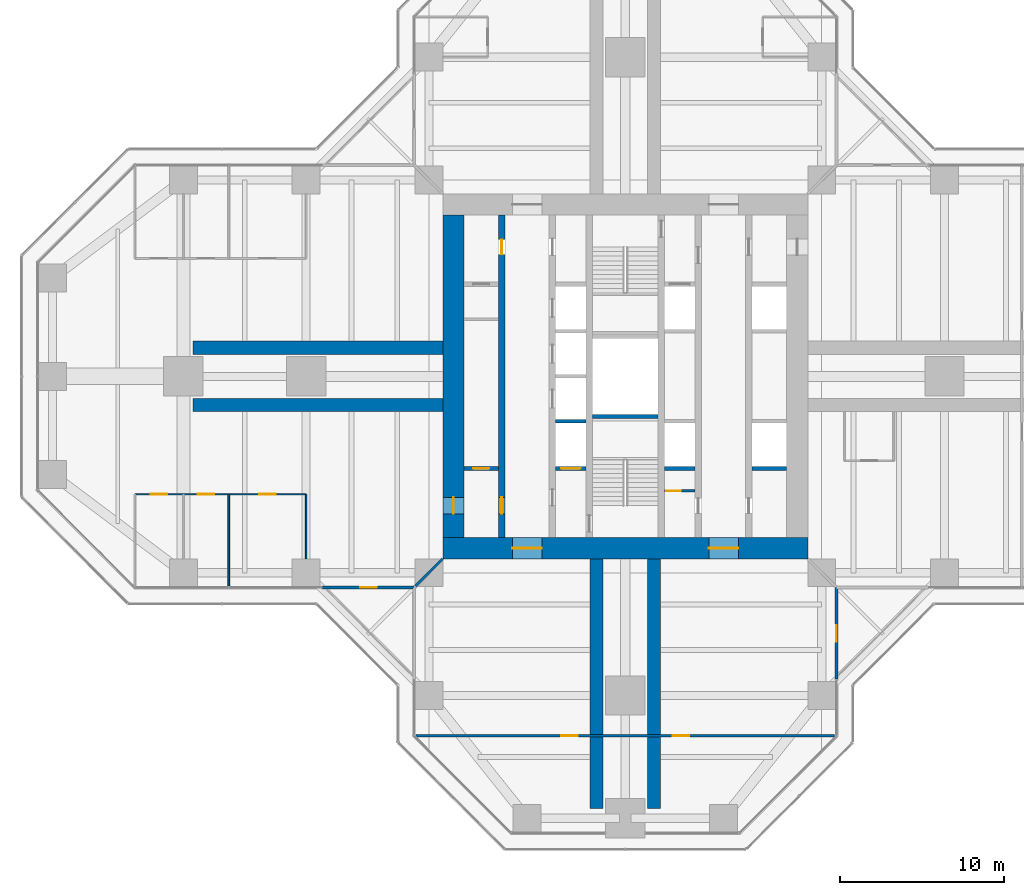
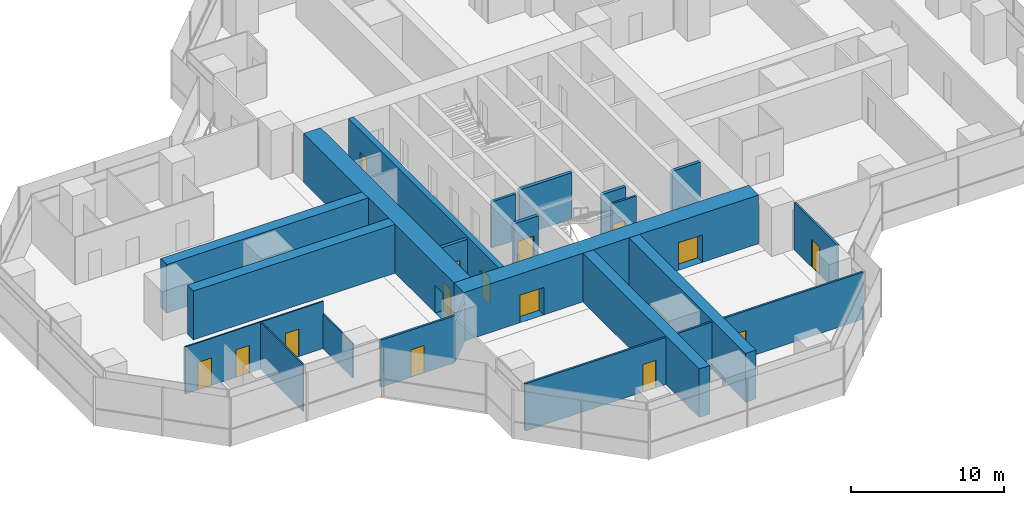
# One storey, part 15 of 20: 21 walls, 15 doors, 15 openings.
"""IFC4 building model written with IfcOpenShell, lengths in metres."""

from ifc_helpers import new_model, si_unit, direction, frame, frame_2d, origin, place, context, subcontext, project, spatial, rectangle, extrude, material, layer, layer_set, type_object, element, fill, save


model = new_model("IFC4")

# Units and contexts
model_context = context("Model", 3, precision=1e-05, world=origin(), true_north=direction((0.0, 1.0)))
body_context = subcontext(model_context, "Body", "Model", "MODEL_VIEW")
ifc_project = project(units=[si_unit("LENGTHUNIT", "METRE"), si_unit("AREAUNIT", "SQUARE_METRE"), si_unit("VOLUMEUNIT", "CUBIC_METRE"), si_unit("PLANEANGLEUNIT", "RADIAN"), si_unit("MASSUNIT", "GRAM", prefix="KILO")], contexts=[model_context])

# Site, building, storey
site_placement = place(None, origin())
site = spatial("IfcSite", under=ifc_project, at=site_placement, CompositionType="ELEMENT")
building_placement = place(site_placement, origin())
building = spatial("IfcBuilding", under=site, at=building_placement, Name="Mizan Broadcast Tower", CompositionType="ELEMENT")
storey_placement = place(building_placement, frame((0.0, 0.0, 178.800048828125)))
storey = spatial("IfcBuildingStorey", under=building, at=storey_placement, Name="L41", CompositionType="ELEMENT", Elevation=178.800048828125)

# Wall, openings, doors
ifc_material_1 = material(Name="Concrete C70/85", Category="concrete")
ifc_layer_1 = layer(ifc_material_1, 0.39990234375)
ifc_layer_set_1 = layer_set([ifc_layer_1], Name="Concrete C70/85")
wall_type_1 = type_object("IfcWallType", Name="CORE INTERNAL WALL 400", PredefinedType="SHEAR", material=ifc_layer_set_1)
wall_1_placement = place(storey_placement, frame((-7.550048828125, -9.85009765625, 0.0), z_axis=(0.0, 0.0, 1.0), x_axis=(0.0, 1.0, 0.0)))
wall_1 = element("IfcWall", 1, at=wall_1_placement, inside=storey, type_object=wall_type_1, Name="Core wall CORE/XW1", PredefinedType="SHEAR", context=body_context, shape_type="SweptSolid", body=[
    extrude(rectangle(XDim=19.7001953125, YDim=0.39990234375, at=frame_2d((9.85009765625, 0.0))), origin(), (0.0, 0.0, 1.0), 3.89990234375),
])
opening_1_placement = place(wall_1_placement, frame((1.449951171875, 0.0, 0.0)))
opening_1 = element("IfcOpeningElement", 2, at=opening_1_placement, cuts=wall_1, Name="Opening D10F", PredefinedType="OPENING", context=body_context, shape_type="SweptSolid", body=[
    extrude(rectangle(XDim=1.0, YDim=2.199951171875, at=frame_2d((0.5, 1.10009765625))), frame((0.0, 0.2099609375, 0.0), z_axis=(0.0, -1.0, 0.0), x_axis=(1.0, 0.0, 0.0)), (0.0, 0.0, 1.0), 0.419921875),
])
opening_2_placement = place(wall_1_placement, frame((17.300048828125, 0.0, 0.0)))
opening_2 = element("IfcOpeningElement", 3, at=opening_2_placement, cuts=wall_1, Name="Opening D09", PredefinedType="OPENING", context=body_context, shape_type="SweptSolid", body=[
    extrude(rectangle(XDim=0.89990234375, YDim=2.10009765625, at=frame_2d((0.449951171875, 1.050048828125))), frame((0.0, 0.2099609375, 0.0), z_axis=(0.0, -1.0, 0.0), x_axis=(1.0, 0.0, 0.0)), (0.0, 0.0, 1.0), 0.419921875),
])
ifc_material_2 = material(Name="Steel door leaf in steel frame", Category="steel")
door_type_1 = type_object("IfcDoorType", Name="FIRE DOOR 1000 FD90", OperationType="SINGLE_SWING_LEFT", PredefinedType="DOOR", material=ifc_material_2)
door_1_placement = place(opening_1_placement, origin())
door_1 = element("IfcDoor", 4, at=door_1_placement, inside=storey, type_object=door_type_1, Name="West core passage door", OperationType="SINGLE_SWING_LEFT", OverallHeight=2.199951171875, OverallWidth=1.0, PredefinedType="DOOR", context=body_context, shape_type="SweptSolid", body=[
    extrude(rectangle(XDim=1.0, YDim=2.199951171875, at=frame_2d((0.5, 1.10009765625))), frame((0.0, 0.02490234375, 0.0), z_axis=(0.0, -1.0, 0.0), x_axis=(1.0, 0.0, 0.0)), (0.0, 0.0, 1.0), 0.050048828125),
])
fill(opening_1, door_1)
ifc_material_3 = material(Name="Timber door leaf in aluminium frame", Category="wood")
door_type_2 = type_object("IfcDoorType", Name="TOILET DOOR 900", OperationType="SINGLE_SWING_LEFT", PredefinedType="DOOR", material=ifc_material_3)
door_2_placement = place(opening_2_placement, origin())
door_2 = element("IfcDoor", 5, at=door_2_placement, inside=storey, type_object=door_type_2, Name="Male WC door", OperationType="SINGLE_SWING_RIGHT", OverallHeight=2.10009765625, OverallWidth=0.89990234375, PredefinedType="DOOR", context=body_context, shape_type="SweptSolid", body=[
    extrude(rectangle(XDim=0.89990234375, YDim=2.10009765625, at=frame_2d((0.449951171875, 1.050048828125))), frame((0.0, 0.02490234375, 0.0), z_axis=(0.0, -1.0, 0.0), x_axis=(1.0, 0.0, 0.0)), (0.0, 0.0, 1.0), 0.050048828125),
])
fill(opening_2, door_2)

# Wall, opening, door
ifc_material_4 = material(Name="Concrete blockwork", Category="masonry")
ifc_layer_2 = layer(ifc_material_4, 0.14990234375)
ifc_layer_set_2 = layer_set([ifc_layer_2], Name="Concrete blockwork")
wall_type_2 = type_object("IfcWallType", Name="CORE PARTITION 150", PredefinedType="SOLIDWALL", material=ifc_layer_set_2)
wall_2_placement = place(storey_placement, frame((2.39990234375, -7.0, 0.0), z_axis=(0.0, 0.0, 1.0), x_axis=(1.0, 0.0, 0.0)))
wall_2 = element("IfcWall", 6, at=wall_2_placement, inside=storey, type_object=wall_type_2, Name="Core partition CORE/XPC", PredefinedType="SOLIDWALL", context=body_context, shape_type="SweptSolid", body=[
    extrude(rectangle(XDim=1.85009765625, YDim=0.14990234375, at=frame_2d((0.925048828125, 0.0))), origin(), (0.0, 0.0, 1.0), 3.77001953125),
])
opening_3_placement = place(wall_2_placement, frame((0.10009765625, 0.0, 0.0)))
opening_3 = element("IfcOpeningElement", 7, at=opening_3_placement, cuts=wall_2, Name="Opening D09F", PredefinedType="OPENING", context=body_context, shape_type="SweptSolid", body=[
    extrude(rectangle(XDim=0.89990234375, YDim=2.10009765625, at=frame_2d((0.449951171875, 1.050048828125))), frame((0.0, 0.0849609375, 0.0), z_axis=(0.0, -1.0, 0.0), x_axis=(1.0, 0.0, 0.0)), (0.0, 0.0, 1.0), 0.169921875),
])
ifc_material_5 = material(Name="Steel door leaf in steel frame", Category="steel")
door_type_3 = type_object("IfcDoorType", Name="CORE ROOM DOOR 900 FD90", OperationType="SINGLE_SWING_LEFT", PredefinedType="DOOR", material=ifc_material_5)
door_3_placement = place(opening_3_placement, origin())
door_3 = element("IfcDoor", 8, at=door_3_placement, inside=storey, type_object=door_type_3, Name="Waste store door", OperationType="SINGLE_SWING_LEFT", OverallHeight=2.10009765625, OverallWidth=0.89990234375, PredefinedType="DOOR", context=body_context, shape_type="SweptSolid", body=[
    extrude(rectangle(XDim=0.89990234375, YDim=2.10009765625, at=frame_2d((0.449951171875, 1.050048828125))), frame((0.0, 0.02490234375, 0.0), z_axis=(0.0, -1.0, 0.0), x_axis=(1.0, 0.0, 0.0)), (0.0, 0.0, 1.0), 0.050048828125),
])
fill(opening_3, door_3)

# Wall, openings, doors
ifc_material_6 = material(Name="Concrete C70/85", Category="concrete")
ifc_layer_3 = layer(ifc_material_6, 1.300048828125)
ifc_layer_set_3 = layer_set([ifc_layer_3], Name="Concrete C70/85")
wall_type_3 = type_object("IfcWallType", Name="CORE WALL 1300", PredefinedType="SHEAR", material=ifc_layer_set_3)
wall_3_placement = place(storey_placement, frame((11.14990234375, -10.5, 0.0), z_axis=(0.0, 0.0, 1.0), x_axis=(-1.0, 0.0, 0.0)))
wall_3 = element("IfcWall", 9, at=wall_3_placement, inside=storey, type_object=wall_type_3, Name="Core wall S L41", PredefinedType="SHEAR", context=body_context, shape_type="SweptSolid", body=[
    extrude(rectangle(XDim=22.2998046875, YDim=1.300048828125, at=frame_2d((11.14990234375, 0.0))), origin(), (0.0, 0.0, 1.0), 3.89990234375),
])
opening_4_placement = place(wall_3_placement, frame((16.25, 0.0, 0.0)))
opening_4 = element("IfcOpeningElement", 10, at=opening_4_placement, cuts=wall_3, Name="Opening D18F", PredefinedType="OPENING", context=body_context, shape_type="SweptSolid", body=[
    extrude(rectangle(XDim=1.800048828125, YDim=2.199951171875, at=frame_2d((0.89990234375, 1.10009765625))), frame((0.0, 0.659912109375, 0.0), z_axis=(0.0, -1.0, 0.0), x_axis=(1.0, 0.0, 0.0)), (0.0, 0.0, 1.0), 1.320068359375),
])
opening_5_placement = place(wall_3_placement, frame((4.25, 0.0, 0.0)))
opening_5 = element("IfcOpeningElement", 11, at=opening_5_placement, cuts=wall_3, Name="Opening D18F", PredefinedType="OPENING", context=body_context, shape_type="SweptSolid", body=[
    extrude(rectangle(XDim=1.800048828125, YDim=2.199951171875, at=frame_2d((0.89990234375, 1.10009765625))), frame((0.0, 0.659912109375, 0.0), z_axis=(0.0, -1.0, 0.0), x_axis=(1.0, 0.0, 0.0)), (0.0, 0.0, 1.0), 1.320068359375),
])
ifc_material_7 = material(Name="Steel door leaf in steel frame", Category="steel")
door_type_4 = type_object("IfcDoorType", Name="LOBBY DOUBLE DOOR 1800 FD90", OperationType="DOUBLE_DOOR_DOUBLE_SWING", PredefinedType="DOOR", material=ifc_material_7)
door_4_placement = place(opening_4_placement, origin())
door_4 = element("IfcDoor", 12, at=door_4_placement, inside=storey, type_object=door_type_4, Name="West lift lobby south door", OperationType="DOUBLE_DOOR_DOUBLE_SWING", OverallHeight=2.199951171875, OverallWidth=1.800048828125, PredefinedType="DOOR", context=body_context, shape_type="SweptSolid", body=[
    extrude(rectangle(XDim=1.800048828125, YDim=2.199951171875, at=frame_2d((0.89990234375, 1.10009765625))), frame((0.0, 0.02490234375, 0.0), z_axis=(0.0, -1.0, 0.0), x_axis=(1.0, 0.0, 0.0)), (0.0, 0.0, 1.0), 0.050048828125),
])
fill(opening_4, door_4)
door_5_placement = place(opening_5_placement, origin())
door_5 = element("IfcDoor", 13, at=door_5_placement, inside=storey, type_object=door_type_4, Name="East lift lobby south door", OperationType="DOUBLE_DOOR_DOUBLE_SWING", OverallHeight=2.199951171875, OverallWidth=1.800048828125, PredefinedType="DOOR", context=body_context, shape_type="SweptSolid", body=[
    extrude(rectangle(XDim=1.800048828125, YDim=2.199951171875, at=frame_2d((0.89990234375, 1.10009765625))), frame((0.0, 0.02490234375, 0.0), z_axis=(0.0, -1.0, 0.0), x_axis=(1.0, 0.0, 0.0)), (0.0, 0.0, 1.0), 0.050048828125),
])
fill(opening_5, door_5)

# Wall, opening, door
wall_4_placement = place(storey_placement, frame((-10.5, 9.85009765625, 0.0), z_axis=(0.0, 0.0, 1.0), x_axis=(0.0, -1.0, 0.0)))
wall_4 = element("IfcWall", 14, at=wall_4_placement, inside=storey, type_object=wall_type_3, Name="Core wall W L41", PredefinedType="SHEAR", context=body_context, shape_type="SweptSolid", body=[
    extrude(rectangle(XDim=19.7001953125, YDim=1.300048828125, at=frame_2d((9.85009765625, 0.0))), origin(), (0.0, 0.0, 1.0), 3.89990234375),
])
opening_6_placement = place(wall_4_placement, frame((17.25, 0.0, 0.0)))
opening_6 = element("IfcOpeningElement", 15, at=opening_6_placement, cuts=wall_4, Name="Opening D10F", PredefinedType="OPENING", context=body_context, shape_type="SweptSolid", body=[
    extrude(rectangle(XDim=1.0, YDim=2.199951171875, at=frame_2d((0.5, 1.10009765625))), frame((0.0, 0.659912109375, 0.0), z_axis=(0.0, -1.0, 0.0), x_axis=(1.0, 0.0, 0.0)), (0.0, 0.0, 1.0), 1.320068359375),
])
door_6_placement = place(opening_6_placement, origin())
door_6 = element("IfcDoor", 16, at=door_6_placement, inside=storey, type_object=door_type_1, Name="West core passage arm door", OperationType="SINGLE_SWING_RIGHT", OverallHeight=2.199951171875, OverallWidth=1.0, PredefinedType="DOOR", context=body_context, shape_type="SweptSolid", body=[
    extrude(rectangle(XDim=1.0, YDim=2.199951171875, at=frame_2d((0.5, 1.10009765625))), frame((0.0, 0.02490234375, 0.0), z_axis=(0.0, -1.0, 0.0), x_axis=(1.0, 0.0, 0.0)), (0.0, 0.0, 1.0), 0.050048828125),
])
fill(opening_6, door_6)

ifc_material_8 = material(Name="Aluminium framed glazed screen", Category="aluminium")
ifc_layer_4 = layer(ifc_material_8, 0.159912109375)
ifc_layer_set_4 = layer_set([ifc_layer_4], Name="Aluminium framed glazed screen")
wall_type_4 = type_object("IfcWallType", Name="GLAZED SCREEN WALL 160", PredefinedType="SOLIDWALL", material=ifc_layer_set_4)
wall_5_placement = place(storey_placement, frame((-18.5, -12.89990234375, 0.0), z_axis=(0.0, 0.0, 1.0), x_axis=(1.0, 0.0, 0.0)))
wall_5 = element("IfcWall", 17, at=wall_5_placement, inside=storey, type_object=wall_type_4, Name="Winter garden screen L41 W", PredefinedType="SOLIDWALL", context=body_context, shape_type="SweptSolid", body=[
    extrude(rectangle(XDim=5.60009765625, YDim=0.159912109375, at=frame_2d((2.800048828125, 0.0))), origin(), (0.0, 0.0, 1.0), 3.77001953125),
])
opening_7_placement = place(wall_5_placement, frame((2.300048828125, 0.0, 0.0)))
opening_7 = element("IfcOpeningElement", 18, at=opening_7_placement, cuts=wall_5, Name="Opening WGD", PredefinedType="OPENING", context=body_context, shape_type="SweptSolid", body=[
    extrude(rectangle(XDim=1.0, YDim=2.199951171875, at=frame_2d((0.5, 1.10009765625))), frame((0.0, 0.08984375, 0.0), z_axis=(0.0, -1.0, 0.0), x_axis=(1.0, 0.0, 0.0)), (0.0, 0.0, 1.0), 0.179931640625),
])
ifc_material_9 = material(Name="Aluminium framed glazed door", Category="aluminium")
door_type_5 = type_object("IfcDoorType", Name="WINTER GARDEN DOOR 1000 GLAZED", OperationType="SINGLE_SWING_LEFT", PredefinedType="DOOR", material=ifc_material_9)
door_7_placement = place(opening_7_placement, origin())
door_7 = element("IfcDoor", 19, at=door_7_placement, inside=storey, type_object=door_type_5, Name="Winter garden door L41 W", OperationType="SINGLE_SWING_RIGHT", OverallHeight=2.199951171875, OverallWidth=1.0, PredefinedType="DOOR", context=body_context, shape_type="SweptSolid", body=[
    extrude(rectangle(XDim=1.0, YDim=2.199951171875, at=frame_2d((0.5, 1.10009765625))), frame((0.0, 0.02490234375, 0.0), z_axis=(0.0, -1.0, 0.0), x_axis=(1.0, 0.0, 0.0)), (0.0, 0.0, 1.0), 0.050048828125),
])
fill(opening_7, door_7)

wall_6_placement = place(storey_placement, frame((12.89990234375, -18.5, 0.0), z_axis=(0.0, 0.0, 1.0), x_axis=(0.0, 1.0, 0.0)))
wall_6 = element("IfcWall", 20, at=wall_6_placement, inside=storey, type_object=wall_type_4, Name="Winter garden screen L41 S", PredefinedType="SOLIDWALL", context=body_context, shape_type="SweptSolid", body=[
    extrude(rectangle(XDim=5.60009765625, YDim=0.159912109375, at=frame_2d((2.800048828125, 0.0))), origin(), (0.0, 0.0, 1.0), 3.77001953125),
])
opening_8_placement = place(wall_6_placement, frame((2.300048828125, 0.0, 0.0)))
opening_8 = element("IfcOpeningElement", 21, at=opening_8_placement, cuts=wall_6, Name="Opening WGD", PredefinedType="OPENING", context=body_context, shape_type="SweptSolid", body=[
    extrude(rectangle(XDim=1.0, YDim=2.199951171875, at=frame_2d((0.5, 1.10009765625))), frame((0.0, 0.08984375, 0.0), z_axis=(0.0, -1.0, 0.0), x_axis=(1.0, 0.0, 0.0)), (0.0, 0.0, 1.0), 0.179931640625),
])
door_8_placement = place(opening_8_placement, origin())
door_8 = element("IfcDoor", 22, at=door_8_placement, inside=storey, type_object=door_type_5, Name="Winter garden door L41 S", OperationType="SINGLE_SWING_RIGHT", OverallHeight=2.199951171875, OverallWidth=1.0, PredefinedType="DOOR", context=body_context, shape_type="SweptSolid", body=[
    extrude(rectangle(XDim=1.0, YDim=2.199951171875, at=frame_2d((0.5, 1.10009765625))), frame((0.0, 0.02490234375, 0.0), z_axis=(0.0, -1.0, 0.0), x_axis=(1.0, 0.0, 0.0)), (0.0, 0.0, 1.0), 0.050048828125),
])
fill(opening_8, door_8)

# Wall
ifc_material_10 = material(Name="Concrete blockwork", Category="masonry")
ifc_layer_5 = layer(ifc_material_10, 0.199951171875)
ifc_layer_set_5 = layer_set([ifc_layer_5], Name="Concrete blockwork")
wall_type_5 = type_object("IfcWallType", Name="LIFT SHAFT WALL 200", PredefinedType="SOLIDWALL", material=ifc_layer_set_5)
wall_7_placement = place(storey_placement, frame((-4.25, -2.75, 0.0), z_axis=(0.0, 0.0, 1.0), x_axis=(1.0, 0.0, 0.0)))
element("IfcWall", 23, at=wall_7_placement, inside=storey, type_object=wall_type_5, Name="Lift shaft wall CORE/SW2-1", PredefinedType="SOLIDWALL", context=body_context, shape_type="SweptSolid", body=[
    extrude(rectangle(XDim=1.85009765625, YDim=0.199951171875, at=frame_2d((0.925048828125, 0.0))), origin(), (0.0, 0.0, 1.0), 3.699951171875),
])

# Wall, opening, door
ifc_material_11 = material(Name="Concrete blockwork", Category="masonry")
ifc_layer_6 = layer(ifc_material_11, 0.25)
ifc_layer_set_6 = layer_set([ifc_layer_6], Name="Concrete blockwork")
wall_type_6 = type_object("IfcWallType", Name="LOBBY ENCLOSURE WALL 250", PredefinedType="SOLIDWALL", material=ifc_layer_set_6)
wall_8_placement = place(storey_placement, frame((-9.85009765625, -5.625, 0.0), z_axis=(0.0, 0.0, 1.0), x_axis=(1.0, 0.0, 0.0)))
wall_8 = element("IfcWall", 24, at=wall_8_placement, inside=storey, type_object=wall_type_6, Name="Lobby enclosure wall CORE/BW1S", PredefinedType="SOLIDWALL", context=body_context, shape_type="SweptSolid", body=[
    extrude(rectangle(XDim=2.10009765625, YDim=0.25, at=frame_2d((1.050048828125, 0.0))), origin(), (0.0, 0.0, 1.0), 3.699951171875),
])
opening_9_placement = place(wall_8_placement, frame((0.550048828125, 0.0, 0.0)))
opening_9 = element("IfcOpeningElement", 25, at=opening_9_placement, cuts=wall_8, Name="Opening D10F", PredefinedType="OPENING", context=body_context, shape_type="SweptSolid", body=[
    extrude(rectangle(XDim=1.0, YDim=2.199951171875, at=frame_2d((0.5, 1.10009765625))), frame((0.0, 0.135009765625, 0.0), z_axis=(0.0, -1.0, 0.0), x_axis=(1.0, 0.0, 0.0)), (0.0, 0.0, 1.0), 0.27001953125),
])
door_9_placement = place(opening_9_placement, origin())
door_9 = element("IfcDoor", 26, at=door_9_placement, inside=storey, type_object=door_type_1, Name="Staff pantry door", OperationType="SINGLE_SWING_RIGHT", OverallHeight=2.199951171875, OverallWidth=1.0, PredefinedType="DOOR", context=body_context, shape_type="SweptSolid", body=[
    extrude(rectangle(XDim=1.0, YDim=2.199951171875, at=frame_2d((0.5, 1.10009765625))), frame((0.0, 0.02490234375, 0.0), z_axis=(0.0, -1.0, 0.0), x_axis=(1.0, 0.0, 0.0)), (0.0, 0.0, 1.0), 0.050048828125),
])
fill(opening_9, door_9)

wall_9_placement = place(storey_placement, frame((-4.25, -5.625, 0.0), z_axis=(0.0, 0.0, 1.0), x_axis=(1.0, 0.0, 0.0)))
wall_9 = element("IfcWall", 27, at=wall_9_placement, inside=storey, type_object=wall_type_6, Name="Lobby enclosure wall CORE/BW2S", PredefinedType="SOLIDWALL", context=body_context, shape_type="SweptSolid", body=[
    extrude(rectangle(XDim=1.85009765625, YDim=0.25, at=frame_2d((0.925048828125, 0.0))), origin(), (0.0, 0.0, 1.0), 3.699951171875),
])
opening_10_placement = place(wall_9_placement, frame((0.324951171875, 0.0, 0.0)))
opening_10 = element("IfcOpeningElement", 28, at=opening_10_placement, cuts=wall_9, Name="Opening LDF", PredefinedType="OPENING", context=body_context, shape_type="SweptSolid", body=[
    extrude(rectangle(XDim=1.199951171875, YDim=2.199951171875, at=frame_2d((0.60009765625, 1.10009765625))), frame((0.0, 0.135009765625, 0.0), z_axis=(0.0, -1.0, 0.0), x_axis=(1.0, 0.0, 0.0)), (0.0, 0.0, 1.0), 0.27001953125),
])
ifc_material_12 = material(Name="Steel door leaf in steel frame", Category="steel")
door_type_6 = type_object("IfcDoorType", Name="FIREFIGHTING LIFT LANDING DOOR 1200", OperationType="SLIDING_TO_LEFT", PredefinedType="DOOR", material=ifc_material_12)
door_10_placement = place(opening_10_placement, origin())
door_10 = element("IfcDoor", 29, at=door_10_placement, inside=storey, type_object=door_type_6, Name="Landing door FF1", OperationType="SLIDING_TO_LEFT", OverallHeight=2.199951171875, OverallWidth=1.199951171875, PredefinedType="DOOR", context=body_context, shape_type="SweptSolid", body=[
    extrude(rectangle(XDim=1.199951171875, YDim=2.199951171875, at=frame_2d((0.60009765625, 1.10009765625))), frame((0.0, 0.02490234375, 0.0), z_axis=(0.0, -1.0, 0.0), x_axis=(1.0, 0.0, 0.0)), (0.0, 0.0, 1.0), 0.050048828125),
])
fill(opening_10, door_10)

# Walls
wall_10_placement = place(storey_placement, frame((2.39990234375, -5.625, 0.0), z_axis=(0.0, 0.0, 1.0), x_axis=(1.0, 0.0, 0.0)))
element("IfcWall", 30, at=wall_10_placement, inside=storey, type_object=wall_type_6, Name="Lobby enclosure wall CORE/BE2S", PredefinedType="SOLIDWALL", context=body_context, shape_type="SweptSolid", body=[
    extrude(rectangle(XDim=1.85009765625, YDim=0.25, at=frame_2d((0.925048828125, 0.0))), origin(), (0.0, 0.0, 1.0), 3.699951171875),
])
wall_11_placement = place(storey_placement, frame((7.75, -5.625, 0.0), z_axis=(0.0, 0.0, 1.0), x_axis=(1.0, 0.0, 0.0)))
element("IfcWall", 31, at=wall_11_placement, inside=storey, type_object=wall_type_6, Name="Lobby enclosure wall CORE/BE1S", PredefinedType="SOLIDWALL", context=body_context, shape_type="SweptSolid", body=[
    extrude(rectangle(XDim=2.10009765625, YDim=0.25, at=frame_2d((1.050048828125, 0.0))), origin(), (0.0, 0.0, 1.0), 3.699951171875),
])
wall_12_placement = place(storey_placement, frame((-2.0, -2.449951171875, 0.0), z_axis=(0.0, 0.0, 1.0), x_axis=(1.0, 0.0, 0.0)))
element("IfcWall", 32, at=wall_12_placement, inside=storey, type_object=wall_type_6, Name="Lobby enclosure wall CORE/STA", PredefinedType="SOLIDWALL", context=body_context, shape_type="SweptSolid", body=[
    extrude(rectangle(XDim=4.0, YDim=0.25, at=frame_2d((2.0, 0.0))), origin(), (0.0, 0.0, 1.0), 3.699951171875),
])

# Wall, openings, doors
ifc_material_13 = material(Name="Gypsum board on steel studs", Category="steel")
ifc_layer_7 = layer(ifc_material_13, 0.14990234375)
ifc_layer_set_7 = layer_set([ifc_layer_7], Name="Gypsum board on steel studs")
wall_type_7 = type_object("IfcWallType", Name="PARTITION 150", PredefinedType="PARTITIONING", material=ifc_layer_set_7)
wall_13_placement = place(storey_placement, frame((-12.786376953125, -21.958984375, 0.0), z_axis=(0.0, 0.0, 1.0), x_axis=(1.0, 0.0, 0.0)))
wall_13 = element("IfcWall", 33, at=wall_13_placement, inside=storey, type_object=wall_type_7, Name="Partition PT/SX1", PredefinedType="PARTITIONING", context=body_context, shape_type="SweptSolid", body=[
    extrude(rectangle(XDim=25.57275390625, YDim=0.14990234375, at=frame_2d((12.786376953125, 0.0))), origin(), (0.0, 0.0, 1.0), 3.77001953125),
])
opening_11_placement = place(wall_13_placement, frame((15.6865234375, 0.0, 0.0)))
opening_11 = element("IfcOpeningElement", 34, at=opening_11_placement, cuts=wall_13, Name="Opening D10", PredefinedType="OPENING", context=body_context, shape_type="SweptSolid", body=[
    extrude(rectangle(XDim=1.0, YDim=2.199951171875, at=frame_2d((0.5, 1.10009765625))), frame((0.0, 0.0849609375, 0.0), z_axis=(0.0, -1.0, 0.0), x_axis=(1.0, 0.0, 0.0)), (0.0, 0.0, 1.0), 0.169921875),
])
opening_12_placement = place(wall_13_placement, frame((8.886474609375, 0.0, 0.0)))
opening_12 = element("IfcOpeningElement", 35, at=opening_12_placement, cuts=wall_13, Name="Opening D10", PredefinedType="OPENING", context=body_context, shape_type="SweptSolid", body=[
    extrude(rectangle(XDim=1.0, YDim=2.199951171875, at=frame_2d((0.5, 1.10009765625))), frame((0.0, 0.0849609375, 0.0), z_axis=(0.0, -1.0, 0.0), x_axis=(1.0, 0.0, 0.0)), (0.0, 0.0, 1.0), 0.169921875),
])
ifc_material_14 = material(Name="Timber door leaf in aluminium frame", Category="wood")
door_type_7 = type_object("IfcDoorType", Name="ROOM DOOR 1000", OperationType="SINGLE_SWING_LEFT", PredefinedType="DOOR", material=ifc_material_14)
door_11_placement = place(opening_11_placement, origin())
door_11 = element("IfcDoor", 36, at=door_11_placement, inside=storey, type_object=door_type_7, Name="Director's office door", OperationType="SINGLE_SWING_RIGHT", OverallHeight=2.199951171875, OverallWidth=1.0, PredefinedType="DOOR", context=body_context, shape_type="SweptSolid", body=[
    extrude(rectangle(XDim=1.0, YDim=2.199951171875, at=frame_2d((0.5, 1.10009765625))), frame((0.0, 0.02490234375, 0.0), z_axis=(0.0, -1.0, 0.0), x_axis=(1.0, 0.0, 0.0)), (0.0, 0.0, 1.0), 0.050048828125),
])
fill(opening_11, door_11)
door_12_placement = place(opening_12_placement, origin())
door_12 = element("IfcDoor", 37, at=door_12_placement, inside=storey, type_object=door_type_7, Name="Director's office door", OperationType="SINGLE_SWING_LEFT", OverallHeight=2.199951171875, OverallWidth=1.0, PredefinedType="DOOR", context=body_context, shape_type="SweptSolid", body=[
    extrude(rectangle(XDim=1.0, YDim=2.199951171875, at=frame_2d((0.5, 1.10009765625))), frame((0.0, 0.02490234375, 0.0), z_axis=(0.0, -1.0, 0.0), x_axis=(1.0, 0.0, 0.0)), (0.0, 0.0, 1.0), 0.050048828125),
])
fill(opening_12, door_12)

# Wall
wall_14_placement = place(storey_placement, frame((-11.14990234375, -11.14990234375, 0.0), z_axis=(0.0, 0.0, 1.0), x_axis=(-0.707106781187, -0.707106781187, 0.0)))
element("IfcWall", 38, at=wall_14_placement, inside=storey, type_object=wall_type_7, Name="Partition PT/DGWS", PredefinedType="PARTITIONING", context=body_context, shape_type="SweptSolid", body=[
    extrude(rectangle(XDim=2.362060546875, YDim=0.14990234375, at=frame_2d((1.18115234375, 0.0))), origin(), (0.0, 0.0, 1.0), 3.219970703125),
])

# Wall, openings, doors
ifc_material_15 = material(Name="Glazed aluminium partition on aluminium track", Category="aluminium")
ifc_layer_8 = layer(ifc_material_15, 0.10009765625)
ifc_layer_set_8 = layer_set([ifc_layer_8], Name="Glazed aluminium partition on aluminium track")
wall_type_8 = type_object("IfcWallType", Name="PARTITION GLAZED OFFICE FRONT 100", PredefinedType="PARTITIONING", material=ifc_layer_set_8)
wall_15_placement = place(storey_placement, frame((-19.5, -7.199951171875, 0.0), z_axis=(0.0, 0.0, 1.0), x_axis=(-1.0, 0.0, 0.0)))
wall_15 = element("IfcWall", 39, at=wall_15_placement, inside=storey, type_object=wall_type_8, Name="Glazed office front PT/WCP0", PredefinedType="PARTITIONING", context=body_context, shape_type="SweptSolid", body=[
    extrude(rectangle(XDim=10.458984375, YDim=0.10009765625, at=frame_2d((5.2294921875, 0.0))), origin(), (0.0, 0.0, 1.0), 3.77001953125),
])
opening_13_placement = place(wall_15_placement, frame((1.864501953125, 0.0, 0.0)))
opening_13 = element("IfcOpeningElement", 40, at=opening_13_placement, cuts=wall_15, Name="Opening D10O", PredefinedType="OPENING", context=body_context, shape_type="SweptSolid", body=[
    extrude(rectangle(XDim=1.0, YDim=2.199951171875, at=frame_2d((0.5, 1.10009765625))), frame((0.0, 0.06005859375, 0.0), z_axis=(0.0, -1.0, 0.0), x_axis=(1.0, 0.0, 0.0)), (0.0, 0.0, 1.0), 0.1201171875),
])
opening_14_placement = place(wall_15_placement, frame((5.614501953125, 0.0, 0.0)))
opening_14 = element("IfcOpeningElement", 41, at=opening_14_placement, cuts=wall_15, Name="Opening D10O", PredefinedType="OPENING", context=body_context, shape_type="SweptSolid", body=[
    extrude(rectangle(XDim=1.0, YDim=2.199951171875, at=frame_2d((0.5, 1.10009765625))), frame((0.0, 0.06005859375, 0.0), z_axis=(0.0, -1.0, 0.0), x_axis=(1.0, 0.0, 0.0)), (0.0, 0.0, 1.0), 0.1201171875),
])
opening_15_placement = place(wall_15_placement, frame((8.4794921875, 0.0, 0.0)))
opening_15 = element("IfcOpeningElement", 42, at=opening_15_placement, cuts=wall_15, Name="Opening D10O", PredefinedType="OPENING", context=body_context, shape_type="SweptSolid", body=[
    extrude(rectangle(XDim=1.0, YDim=2.199951171875, at=frame_2d((0.5, 1.10009765625))), frame((0.0, 0.06005859375, 0.0), z_axis=(0.0, -1.0, 0.0), x_axis=(1.0, 0.0, 0.0)), (0.0, 0.0, 1.0), 0.1201171875),
])
ifc_material_16 = material(Name="Timber door leaf in aluminium frame", Category="wood")
door_type_8 = type_object("IfcDoorType", Name="OFFICE DOOR 1000 GLAZED", OperationType="SINGLE_SWING_LEFT", PredefinedType="DOOR", material=ifc_material_16)
door_13_placement = place(opening_13_placement, origin())
door_13 = element("IfcDoor", 43, at=door_13_placement, inside=storey, type_object=door_type_8, Name="Meeting room door", OperationType="SINGLE_SWING_LEFT", OverallHeight=2.199951171875, OverallWidth=1.0, PredefinedType="DOOR", context=body_context, shape_type="SweptSolid", body=[
    extrude(rectangle(XDim=1.0, YDim=2.199951171875, at=frame_2d((0.5, 1.10009765625))), frame((0.0, 0.02490234375, 0.0), z_axis=(0.0, -1.0, 0.0), x_axis=(1.0, 0.0, 0.0)), (0.0, 0.0, 1.0), 0.050048828125),
])
fill(opening_13, door_13)
door_14_placement = place(opening_14_placement, origin())
door_14 = element("IfcDoor", 44, at=door_14_placement, inside=storey, type_object=door_type_8, Name="Meeting room door", OperationType="SINGLE_SWING_RIGHT", OverallHeight=2.199951171875, OverallWidth=1.0, PredefinedType="DOOR", context=body_context, shape_type="SweptSolid", body=[
    extrude(rectangle(XDim=1.0, YDim=2.199951171875, at=frame_2d((0.5, 1.10009765625))), frame((0.0, 0.02490234375, 0.0), z_axis=(0.0, -1.0, 0.0), x_axis=(1.0, 0.0, 0.0)), (0.0, 0.0, 1.0), 0.050048828125),
])
fill(opening_14, door_14)
door_15_placement = place(opening_15_placement, origin())
door_15 = element("IfcDoor", 45, at=door_15_placement, inside=storey, type_object=door_type_8, Name="Meeting room door", OperationType="SINGLE_SWING_RIGHT", OverallHeight=2.199951171875, OverallWidth=1.0, PredefinedType="DOOR", context=body_context, shape_type="SweptSolid", body=[
    extrude(rectangle(XDim=1.0, YDim=2.199951171875, at=frame_2d((0.5, 1.10009765625))), frame((0.0, 0.02490234375, 0.0), z_axis=(0.0, -1.0, 0.0), x_axis=(1.0, 0.0, 0.0)), (0.0, 0.0, 1.0), 0.050048828125),
])
fill(opening_15, door_15)

# Walls
wall_16_placement = place(storey_placement, frame((-19.5, -7.199951171875, 0.0), z_axis=(0.0, 0.0, 1.0), x_axis=(0.0, -1.0, 0.0)))
element("IfcWall", 46, at=wall_16_placement, inside=storey, type_object=wall_type_8, Name="Glazed office front PT/WQP1950", PredefinedType="PARTITIONING", context=body_context, shape_type="SweptSolid", body=[
    extrude(rectangle(XDim=3.949951171875, YDim=0.10009765625, at=frame_2d((1.97509765625, 0.0))), origin(), (0.0, 0.0, 1.0), 2.77001953125),
])
wall_17_placement = place(storey_placement, frame((-24.22900390625, -7.199951171875, 0.0), z_axis=(0.0, 0.0, 1.0), x_axis=(0.0, -1.0, 0.0)))
element("IfcWall", 47, at=wall_17_placement, inside=storey, type_object=wall_type_8, Name="Glazed office front PT/WQP2423", PredefinedType="PARTITIONING", context=body_context, shape_type="SweptSolid", body=[
    extrude(rectangle(XDim=5.6201171875, YDim=0.10009765625, at=frame_2d((2.81005859375, 0.0))), origin(), (0.0, 0.0, 1.0), 3.77001953125),
])
ifc_material_17 = material(Name="Concrete C70/85", Category="concrete")
ifc_layer_9 = layer(ifc_material_17, 0.800048828125)
ifc_layer_set_9 = layer_set([ifc_layer_9], Name="Concrete C70/85")
wall_type_9 = type_object("IfcWallType", Name="SPINE WALL 800", PredefinedType="SHEAR", material=ifc_layer_set_9)
for number, where, z_axis, x_axis, name in (
    (48, (-11.14990234375, 1.75, 0.0), (0.0, 0.0, 1.0), (-1.0, 0.0, 0.0), "Spine wall WR L41"),
    (49, (-11.14990234375, -1.75, 0.0), (0.0, 0.0, 1.0), (-1.0, 0.0, 0.0), "Spine wall WL L41"),
    (50, (-1.75, -11.14990234375, 0.0), (0.0, 0.0, 1.0), (0.0, -1.0, 0.0), "Spine wall SR L41"),
    (51, (1.75, -11.14990234375, 0.0), (0.0, 0.0, 1.0), (0.0, -1.0, 0.0), "Spine wall SL L41"),
):
    element("IfcWall", number, at=place(storey_placement, frame(where, z_axis=z_axis, x_axis=x_axis)), inside=storey, type_object=wall_type_9, Name=name, PredefinedType="SHEAR", context=body_context, shape_type="SweptSolid", body=[
        extrude(rectangle(XDim=15.25, YDim=0.800048828125, at=frame_2d((7.625, 0.0))), origin(), (0.0, 0.0, 1.0), 3.89990234375),
    ])

save(model, "model.ifc")
